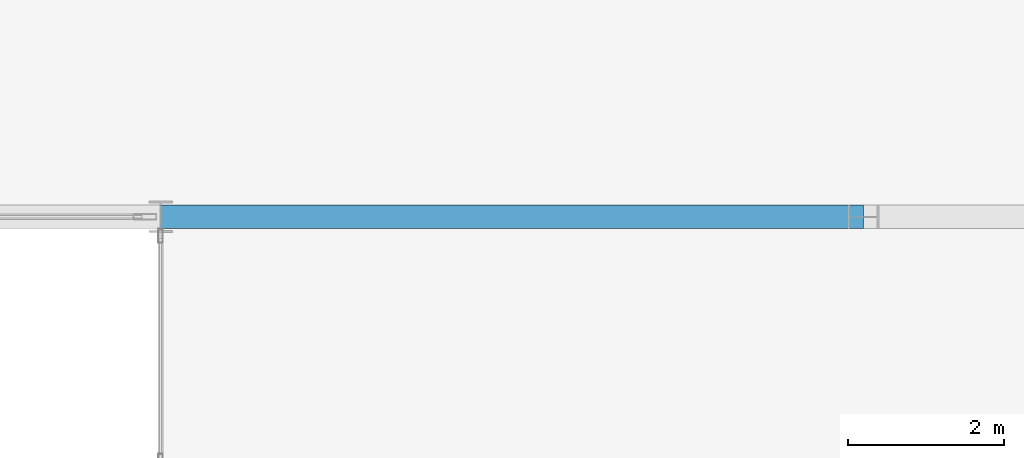
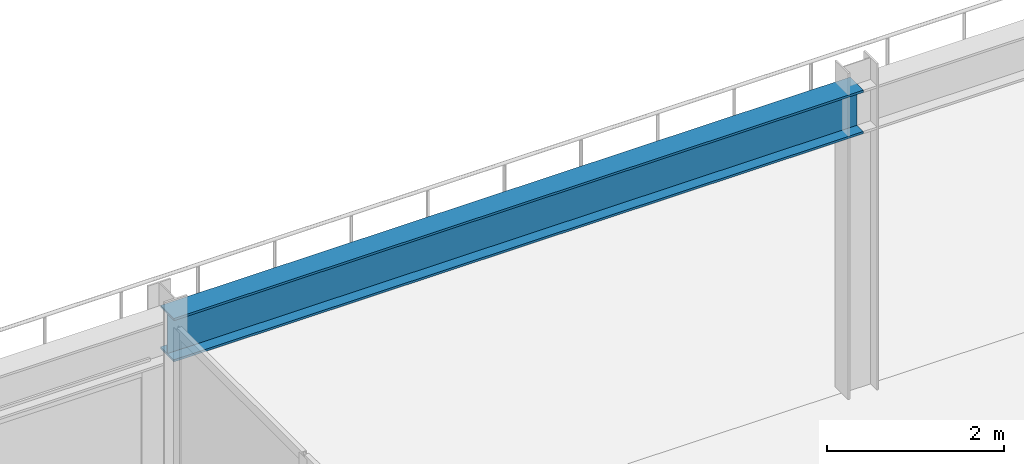
# One storey, part 57 of 115: 1 beam.
"""IFC4 building model written with IfcOpenShell, lengths in metres."""

from ifc_helpers import new_model, si_unit, direction, frame, origin, origin_2d, place, context, subcontext, project, spatial, i_section, extrude, material, material_profile, profile_set, type_object, element, save


model = new_model("IFC4")

# Units and contexts
model_context = context("Model", 3, precision=1e-05, world=origin(), true_north=direction((0.0, 1.0)))
body_context = subcontext(model_context, "Body", "Model", "MODEL_VIEW")
ifc_project = project(units=[si_unit("LENGTHUNIT", "METRE"), si_unit("AREAUNIT", "SQUARE_METRE"), si_unit("VOLUMEUNIT", "CUBIC_METRE"), si_unit("PLANEANGLEUNIT", "RADIAN"), si_unit("MASSUNIT", "GRAM", prefix="KILO")], contexts=[model_context])

# Site, building, storey
site_placement = place(None, origin())
site = spatial("IfcSite", under=ifc_project, at=site_placement, CompositionType="ELEMENT")
building_placement = place(site_placement, origin())
building = spatial("IfcBuilding", under=site, at=building_placement, Name="Montelvaro Courts of Justice", CompositionType="ELEMENT")
storey_placement = place(building_placement, frame((0.0, 0.0, 9.89990234375)))
storey = spatial("IfcBuildingStorey", under=building, at=storey_placement, Name="L02", CompositionType="ELEMENT", Elevation=9.89990234375)

# Beam
ifc_material = material(Name="Steel S355", Category="steel")
ifc_material_profile = material_profile(ifc_material, i_section(OverallWidth=0.300048828125, OverallDepth=0.60009765625, WebThickness=0.015380859375, FlangeThickness=0.030029296875, at=origin_2d()), Name="HEB 600")
ifc_profile_set = profile_set([ifc_material_profile], Name="Steel S355")
beam_type = type_object("IfcBeamType", Name="Beam_HEB600", PredefinedType="USERDEFINED", material=ifc_profile_set)
beam_placement = place(storey_placement, frame((54.0, 78.0, 3.900146484375), z_axis=(1.0, 0.0, 0.0), x_axis=(0.0, 1.0, 0.0)))
element("IfcBeam", 1, at=beam_placement, inside=storey, type_object=beam_type, Name="V1 Roof Eave Girder", ObjectType="GIRDER", PredefinedType="USERDEFINED", context=body_context, shape_type="SweptSolid", body=[
    extrude(i_section(OverallWidth=0.300048828125, OverallDepth=0.60009765625, WebThickness=0.015380859375, FlangeThickness=0.030029296875, at=origin_2d()), origin(), (0.0, 0.0, 1.0), 9.0),
])

save(model, "model.ifc")
